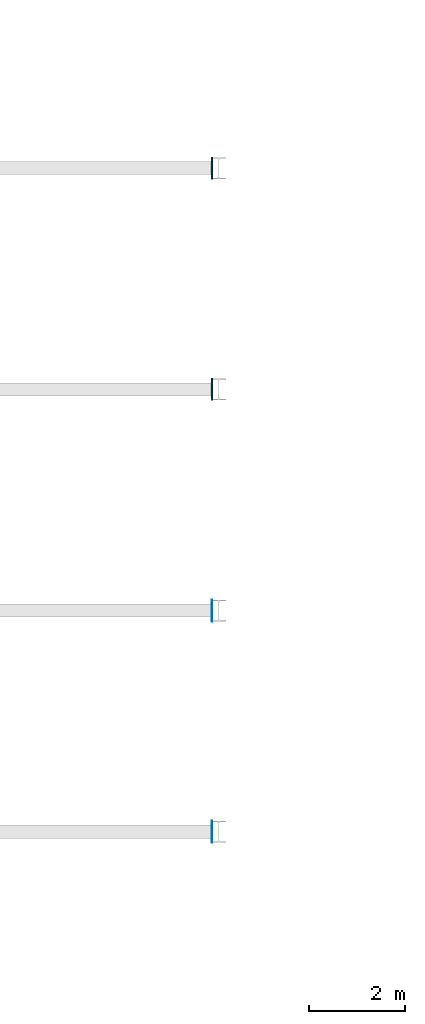
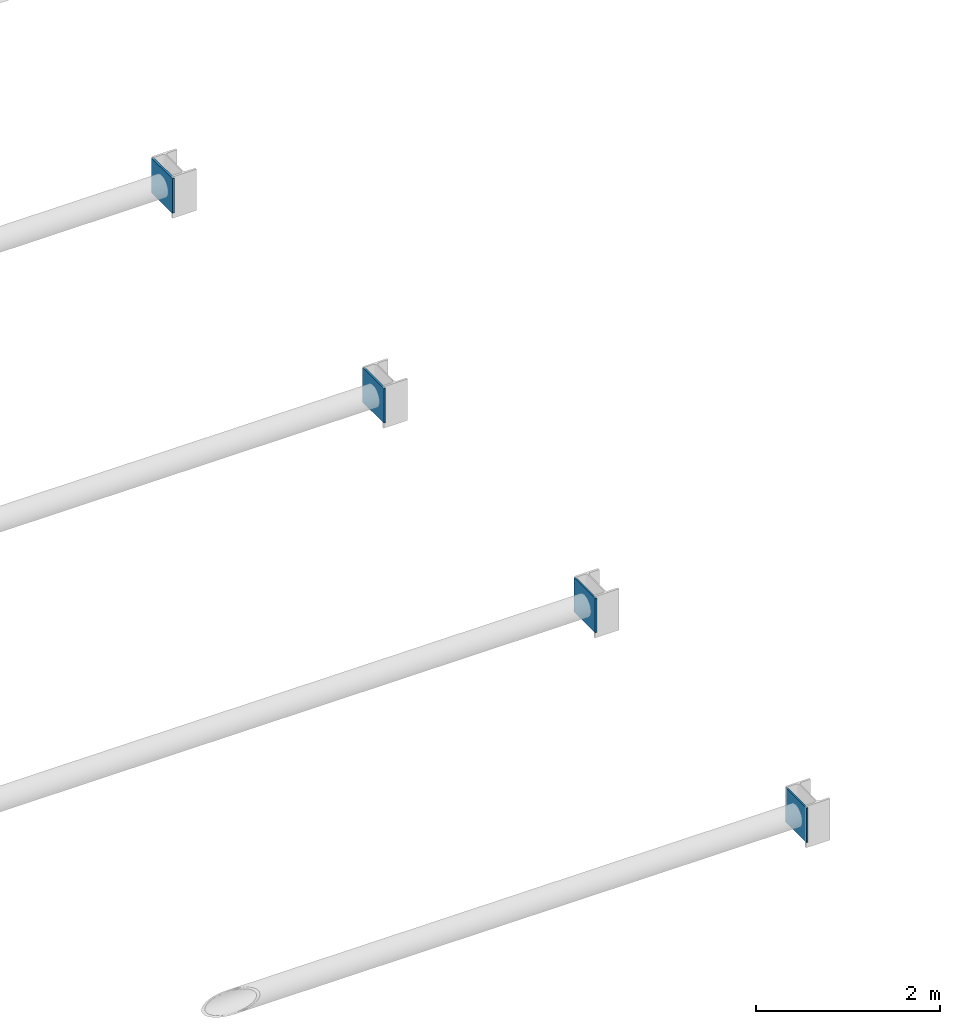
# One storey, part 30 of 38: 4 plates.
"""IFC4 building model written with IfcOpenShell, lengths in metres."""

from ifc_helpers import new_model, si_unit, direction, frame, origin, origin_2d, place, context, subcontext, project, spatial, rectangle, extrude, material, layer, layer_set, type_object, element, save


model = new_model("IFC4")

# Units and contexts
model_context = context("Model", 3, precision=1e-05, world=origin(), true_north=direction((0.0, 1.0)))
body_context = subcontext(model_context, "Body", "Model", "MODEL_VIEW")
ifc_project = project(units=[si_unit("LENGTHUNIT", "METRE"), si_unit("AREAUNIT", "SQUARE_METRE"), si_unit("VOLUMEUNIT", "CUBIC_METRE"), si_unit("PLANEANGLEUNIT", "RADIAN"), si_unit("MASSUNIT", "GRAM", prefix="KILO")], contexts=[model_context])

# Site, building, storey
site_placement = place(None, origin())
site = spatial("IfcSite", under=ifc_project, at=site_placement, CompositionType="ELEMENT")
building_placement = place(site_placement, origin())
building = spatial("IfcBuilding", under=site, at=building_placement, Name="Muzn Square Opera House", CompositionType="ELEMENT")
storey_placement = place(building_placement, frame((0.0, 0.0, 18.0)))
storey = spatial("IfcBuildingStorey", under=building, at=storey_placement, Name="L04", CompositionType="ELEMENT", Elevation=18.0)

# Plates
ifc_material = material(Name="Steel S355", Category="steel")
ifc_layer_1 = layer(ifc_material, 0.01806640625, Name="Steel S355", Category="steel")
ifc_layer_set_1 = layer_set([ifc_layer_1], Name="Steel S355")
plate_type_1 = type_object("IfcPlateType", Name="Gusset Plate 18mm 460x460", PredefinedType="USERDEFINED", material=ifc_layer_set_1)
plate_1_placement = place(storey_placement, frame((132.860107421875, 54.199951171875, 0.070068359375), z_axis=(0.0, 0.0, 1.0), x_axis=(1.0, 0.0, 0.0)))
element("IfcPlate", 1, at=plate_1_placement, inside=storey, type_object=plate_type_1, Name="Vault Tie End Gusset Plate V3-07-E", ObjectType="GUSSET PLATE", PredefinedType="USERDEFINED", context=body_context, shape_type="SweptSolid", body=[
    extrude(rectangle(XDim=0.01806640625, YDim=0.4599609375, at=origin_2d()), origin(), (0.0, 0.0, 1.0), 0.4599609375),
])
ifc_layer_2 = layer(ifc_material, 0.02001953125, Name="Steel S355", Category="steel")
ifc_layer_set_2 = layer_set([ifc_layer_2], Name="Steel S355")
plate_type_2 = type_object("IfcPlateType", Name="Gusset Plate 20mm 460x460", PredefinedType="USERDEFINED", material=ifc_layer_set_2)
plate_2_placement = place(storey_placement, frame((132.860107421875, 58.800048828125, 0.070068359375), z_axis=(0.0, 0.0, 1.0), x_axis=(1.0, 0.0, 0.0)))
element("IfcPlate", 2, at=plate_2_placement, inside=storey, type_object=plate_type_2, Name="Vault Tie End Gusset Plate V3-08-E", ObjectType="GUSSET PLATE", PredefinedType="USERDEFINED", context=body_context, shape_type="SweptSolid", body=[
    extrude(rectangle(XDim=0.02001953125, YDim=0.4599609375, at=origin_2d()), origin(), (0.0, 0.0, 1.0), 0.4599609375),
])
ifc_layer_3 = layer(ifc_material, 0.02392578125, Name="Steel S355", Category="steel")
ifc_layer_set_3 = layer_set([ifc_layer_3], Name="Steel S355")
plate_type_3 = type_object("IfcPlateType", Name="Gusset Plate 24mm 460x460", PredefinedType="USERDEFINED", material=ifc_layer_set_3)
plate_3_placement = place(storey_placement, frame((132.860107421875, 63.39990234375, 0.070068359375), z_axis=(0.0, 0.0, 1.0), x_axis=(1.0, 0.0, 0.0)))
element("IfcPlate", 3, at=plate_3_placement, inside=storey, type_object=plate_type_3, Name="Vault Tie End Gusset Plate V3-09-E", ObjectType="GUSSET PLATE", PredefinedType="USERDEFINED", context=body_context, shape_type="SweptSolid", body=[
    extrude(rectangle(XDim=0.02392578125, YDim=0.4599609375, at=origin_2d()), origin(), (0.0, 0.0, 1.0), 0.4599609375),
])
ifc_layer_4 = layer(ifc_material, 0.028076171875, Name="Steel S355", Category="steel")
ifc_layer_set_4 = layer_set([ifc_layer_4], Name="Steel S355")
plate_type_4 = type_object("IfcPlateType", Name="Gusset Plate 28mm 460x460", PredefinedType="USERDEFINED", material=ifc_layer_set_4)
plate_4_placement = place(storey_placement, frame((132.860107421875, 68.0, 0.070068359375), z_axis=(0.0, 0.0, 1.0), x_axis=(1.0, 0.0, 0.0)))
element("IfcPlate", 4, at=plate_4_placement, inside=storey, type_object=plate_type_4, Name="Vault Tie End Gusset Plate V3-10-E", ObjectType="GUSSET PLATE", PredefinedType="USERDEFINED", context=body_context, shape_type="SweptSolid", body=[
    extrude(rectangle(XDim=0.028076171875, YDim=0.4599609375, at=origin_2d()), origin(), (0.0, 0.0, 1.0), 0.4599609375),
])

save(model, "model.ifc")
